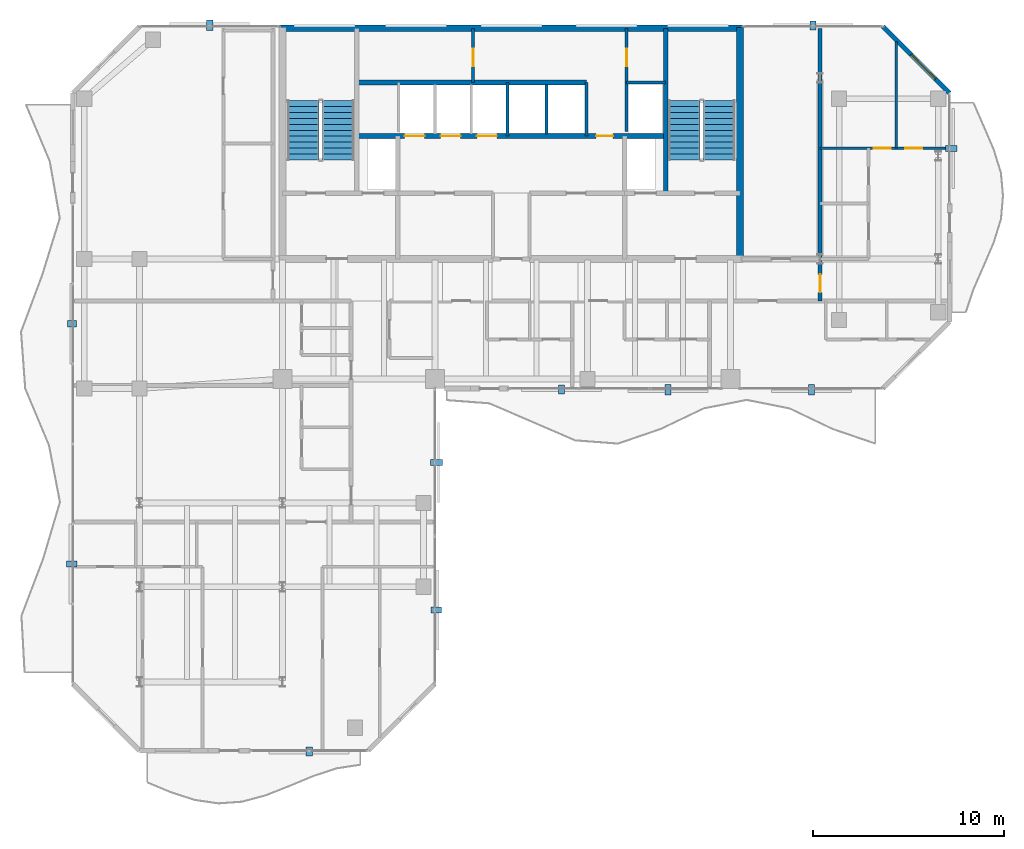
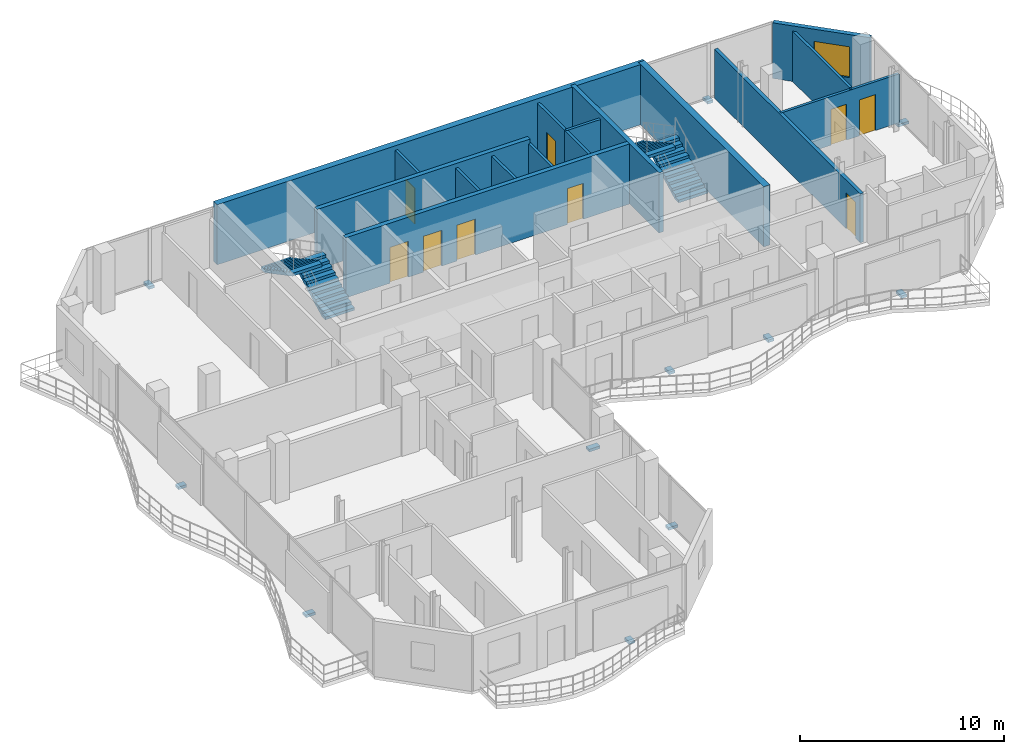
# One storey, part 20 of 23: 16 walls, 11 discrete accessories, 9 doors, 4 stair flights, 1 window, 10 openings, 2 elements without a shape of their own.
"""IFC4 building model written with IfcOpenShell, lengths in metres."""

from ifc_helpers import new_model, si_unit, direction, frame, frame_2d, origin, origin_2d, place, context, subcontext, project, spatial, polyline, rectangle, outline, extrude, material, layer, layer_set, type_object, element, fill, aggregate, save


model = new_model("IFC4")

# Units and contexts
model_context = context("Model", 3, precision=1e-05, world=origin(), true_north=direction((0.0, 1.0)))
body_context = subcontext(model_context, "Body", "Model", "MODEL_VIEW")
ifc_project = project(units=[si_unit("LENGTHUNIT", "METRE"), si_unit("AREAUNIT", "SQUARE_METRE"), si_unit("VOLUMEUNIT", "CUBIC_METRE"), si_unit("PLANEANGLEUNIT", "RADIAN"), si_unit("MASSUNIT", "GRAM", prefix="KILO")], contexts=[model_context])

# Site, building, storey
site_placement = place(None, origin())
site = spatial("IfcSite", under=ifc_project, at=site_placement, CompositionType="ELEMENT")
building_placement = place(site_placement, origin())
building = spatial("IfcBuilding", under=site, at=building_placement, Name="Catumbela Crestline Tower", CompositionType="ELEMENT")
storey_placement = place(building_placement, frame((0.0, 0.0, 179.4)))
storey = spatial("IfcBuildingStorey", under=building, at=storey_placement, Name="L46", CompositionType="ELEMENT", Elevation=179.4)

# Wall
ifc_material_1 = material(Name="Concrete C50/60", Category="concrete")
ifc_layer_1 = layer(ifc_material_1, 0.25, Name="Concrete C50/60")
ifc_layer_set_1 = layer_set([ifc_layer_1], Name="Concrete C50/60")
wall_type_1 = type_object("IfcWallType", Name="CW-250D", PredefinedType="SHEAR", material=ifc_layer_set_1)
wall_1_placement = place(storey_placement, frame((36.1, 34.25, 0.0), z_axis=(0.0, 0.0, 1.0), x_axis=(0.0, 1.0, 0.0)))
element("IfcWall", 1, at=wall_1_placement, inside=storey, type_object=wall_type_1, Name="L46 Structural Core Shear Wall EWEB", PredefinedType="SHEAR", context=body_context, shape_type="SweptSolid", body=[
    extrude(rectangle(XDim=8.65, YDim=0.25, at=frame_2d((4.325, 0.0))), origin(), (0.0, 0.0, 1.0), 3.6),
])

# Wall, openings, doors
wall_2_placement = place(storey_placement, frame((19.9, 37.25, 0.0), z_axis=(0.0, 0.0, 1.0), x_axis=(1.0, 0.0, 0.0)))
wall_2 = element("IfcWall", 2, at=wall_2_placement, inside=storey, type_object=wall_type_1, Name="L46 Structural Core Shear Wall LIFTN", PredefinedType="SHEAR", context=body_context, shape_type="SweptSolid", body=[
    extrude(rectangle(XDim=16.2, YDim=0.25, at=frame_2d((8.1, 0.0))), origin(), (0.0, 0.0, 1.0), 3.6),
])
opening_1_placement = place(wall_2_placement, frame((12.55, 0.0, 0.0)))
opening_1 = element("IfcOpeningElement", 3, at=opening_1_placement, cuts=wall_2, Name="Opening DF9-090", PredefinedType="OPENING", context=body_context, shape_type="SweptSolid", body=[
    extrude(rectangle(XDim=0.9, YDim=2.15, at=frame_2d((0.45, 1.075))), frame((0.0, 0.135, 0.0), z_axis=(0.0, -1.0, 0.0), x_axis=(1.0, 0.0, 0.0)), (0.0, 0.0, 1.0), 0.27),
])
opening_2_placement = place(wall_2_placement, frame((2.5, 0.0, 0.0)))
opening_2 = element("IfcOpeningElement", 4, at=opening_2_placement, cuts=wall_2, Name="Opening LD-105", PredefinedType="OPENING", context=body_context, shape_type="SweptSolid", body=[
    extrude(rectangle(XDim=1.05, YDim=2.15, at=frame_2d((0.525, 1.075))), frame((0.0, 0.135, 0.0), z_axis=(0.0, -1.0, 0.0), x_axis=(1.0, 0.0, 0.0)), (0.0, 0.0, 1.0), 0.27),
])
opening_3_placement = place(wall_2_placement, frame((4.4, 0.0, 0.0)))
opening_3 = element("IfcOpeningElement", 5, at=opening_3_placement, cuts=wall_2, Name="Opening LD-105", PredefinedType="OPENING", context=body_context, shape_type="SweptSolid", body=[
    extrude(rectangle(XDim=1.05, YDim=2.15, at=frame_2d((0.525, 1.075))), frame((0.0, 0.135, 0.0), z_axis=(0.0, -1.0, 0.0), x_axis=(1.0, 0.0, 0.0)), (0.0, 0.0, 1.0), 0.27),
])
opening_4_placement = place(wall_2_placement, frame((6.3, 0.0, 0.0)))
opening_4 = element("IfcOpeningElement", 6, at=opening_4_placement, cuts=wall_2, Name="Opening LD-105", PredefinedType="OPENING", context=body_context, shape_type="SweptSolid", body=[
    extrude(rectangle(XDim=1.05, YDim=2.15, at=frame_2d((0.525, 1.075))), frame((0.0, 0.135, 0.0), z_axis=(0.0, -1.0, 0.0), x_axis=(1.0, 0.0, 0.0)), (0.0, 0.0, 1.0), 0.27),
])
ifc_material_2 = material(Name="Stainless steel EN 1.4401", Category="steel")
door_type_1 = type_object("IfcDoorType", Name="DF9-090", OperationType="NOTDEFINED", PredefinedType="DOOR", material=ifc_material_2)
door_1_placement = place(opening_1_placement, origin())
door_1 = element("IfcDoor", 7, at=door_1_placement, inside=storey, type_object=door_type_1, Name="L46 Interior Door DR-L46-CPAS1", OperationType="SINGLE_SWING_LEFT", OverallHeight=2.15, OverallWidth=0.9, PredefinedType="DOOR", context=body_context, shape_type="SweptSolid", body=[
    extrude(rectangle(XDim=0.9, YDim=2.15, at=frame_2d((0.45, 1.075))), frame((0.0, 0.025, 0.0), z_axis=(0.0, -1.0, 0.0), x_axis=(1.0, 0.0, 0.0)), (0.0, 0.0, 1.0), 0.05),
])
fill(opening_1, door_1)
door_type_2 = type_object("IfcDoorType", Name="LD-105", OperationType="NOTDEFINED", PredefinedType="DOOR", material=ifc_material_2)
door_2_placement = place(opening_2_placement, origin())
door_2 = element("IfcDoor", 8, at=door_2_placement, inside=storey, type_object=door_type_2, Name="L46 Lift Landing Sliding Door PL-H1", OperationType="DOUBLE_DOOR_SLIDING", OverallHeight=2.15, OverallWidth=1.05, PredefinedType="DOOR", context=body_context, shape_type="SweptSolid", body=[
    extrude(rectangle(XDim=1.05, YDim=2.15, at=frame_2d((0.525, 1.075))), frame((0.0, 0.025, 0.0), z_axis=(0.0, -1.0, 0.0), x_axis=(1.0, 0.0, 0.0)), (0.0, 0.0, 1.0), 0.05),
])
fill(opening_2, door_2)
door_3_placement = place(opening_3_placement, origin())
door_3 = element("IfcDoor", 9, at=door_3_placement, inside=storey, type_object=door_type_2, Name="L46 Lift Landing Sliding Door PL-H2", OperationType="DOUBLE_DOOR_SLIDING", OverallHeight=2.15, OverallWidth=1.05, PredefinedType="DOOR", context=body_context, shape_type="SweptSolid", body=[
    extrude(rectangle(XDim=1.05, YDim=2.15, at=frame_2d((0.525, 1.075))), frame((0.0, 0.025, 0.0), z_axis=(0.0, -1.0, 0.0), x_axis=(1.0, 0.0, 0.0)), (0.0, 0.0, 1.0), 0.05),
])
fill(opening_3, door_3)
door_4_placement = place(opening_4_placement, origin())
door_4 = element("IfcDoor", 10, at=door_4_placement, inside=storey, type_object=door_type_2, Name="L46 Lift Landing Sliding Door PL-H3", OperationType="DOUBLE_DOOR_SLIDING", OverallHeight=2.15, OverallWidth=1.05, PredefinedType="DOOR", context=body_context, shape_type="SweptSolid", body=[
    extrude(rectangle(XDim=1.05, YDim=2.15, at=frame_2d((0.525, 1.075))), frame((0.0, 0.025, 0.0), z_axis=(0.0, -1.0, 0.0), x_axis=(1.0, 0.0, 0.0)), (0.0, 0.0, 1.0), 0.05),
])
fill(opening_4, door_4)

# Walls
wall_3_placement = place(storey_placement, frame((19.9, 40.05, 0.0), z_axis=(0.0, 0.0, 1.0), x_axis=(1.0, 0.0, 0.0)))
element("IfcWall", 11, at=wall_3_placement, inside=storey, type_object=wall_type_1, Name="L46 Structural Core Shear Wall COREN", PredefinedType="SHEAR", context=body_context, shape_type="SweptSolid", body=[
    extrude(rectangle(XDim=12.05, YDim=0.25, at=frame_2d((6.025, 0.0))), origin(), (0.0, 0.0, 1.0), 3.6),
])
ifc_layer_2 = layer(ifc_material_1, 0.35, Name="Concrete C50/60")
ifc_layer_set_2 = layer_set([ifc_layer_2], Name="Concrete C50/60")
wall_type_2 = type_object("IfcWallType", Name="CW-350B", PredefinedType="SHEAR", material=ifc_layer_set_2)
wall_4_placement = place(storey_placement, frame((40.0, 30.65, 0.0), z_axis=(0.0, 0.0, 1.0), x_axis=(0.0, 1.0, 0.0)))
element("IfcWall", 12, at=wall_4_placement, inside=storey, type_object=wall_type_2, Name="L46 Structural Core Shear Wall E", PredefinedType="SHEAR", context=body_context, shape_type="SweptSolid", body=[
    extrude(rectangle(XDim=12.3, YDim=0.35, at=frame_2d((6.15, 0.0))), origin(), (0.0, 0.0, 1.0), 3.6),
])
ifc_layer_3 = layer(ifc_material_1, 0.35, Name="Concrete C50/60")
ifc_layer_set_3 = layer_set([ifc_layer_3], Name="Concrete C50/60")
wall_type_3 = type_object("IfcWallType", Name="CW-350E", PredefinedType="SHEAR", material=ifc_layer_set_3)
wall_5_placement = place(storey_placement, frame((15.85, 42.9, 0.0), z_axis=(0.0, 0.0, 1.0), x_axis=(1.0, 0.0, 0.0)))
element("IfcWall", 13, at=wall_5_placement, inside=storey, type_object=wall_type_3, Name="L46 Structural Core Shear Wall N", PredefinedType="SHEAR", context=body_context, shape_type="SweptSolid", body=[
    extrude(rectangle(XDim=24.3, YDim=0.35, at=frame_2d((12.15, 0.0))), origin(), (0.0, 0.0, 1.0), 3.6),
])

# Wall, opening, door
ifc_material_3 = material(Name="Acoustic gypsum and mineral-wool partition")
ifc_layer_4 = layer(ifc_material_3, 0.2, Name="Acoustic gypsum and mineral-wool partition")
ifc_layer_set_4 = layer_set([ifc_layer_4], Name="Acoustic gypsum and mineral-wool partition")
wall_type_4 = type_object("IfcWallType", Name="WC-200", PredefinedType="PARTITIONING", material=ifc_layer_set_4)
wall_6_placement = place(storey_placement, frame((44.2, 28.6, 0.0), z_axis=(0.0, 0.0, 1.0), x_axis=(0.0, 1.0, 0.0)))
wall_6 = element("IfcWall", 14, at=wall_6_placement, inside=storey, type_object=wall_type_4, Name="L46 Interior Partition PW-L46-NE1-ENT", PredefinedType="PARTITIONING", context=body_context, shape_type="SweptSolid", body=[
    extrude(rectangle(XDim=14.3, YDim=0.2, at=frame_2d((7.15, 0.0))), origin(), (0.0, 0.0, 1.0), 2.92),
])
opening_5_placement = place(wall_6_placement, frame((0.445, 0.0, 0.0)))
opening_5 = element("IfcOpeningElement", 15, at=opening_5_placement, cuts=wall_6, Name="Opening DF6-095", PredefinedType="OPENING", context=body_context, shape_type="SweptSolid", body=[
    extrude(rectangle(XDim=0.95, YDim=2.15, at=frame_2d((0.475, 1.075))), frame((0.0, 0.11, 0.0), z_axis=(0.0, -1.0, 0.0), x_axis=(1.0, 0.0, 0.0)), (0.0, 0.0, 1.0), 0.22),
])
ifc_material_4 = material(Name="Aluminium alloy AW-6060-T66", Category="aluminium")
door_type_3 = type_object("IfcDoorType", Name="DF6-095", OperationType="NOTDEFINED", PredefinedType="DOOR", material=ifc_material_4)
door_5_placement = place(opening_5_placement, origin())
door_5 = element("IfcDoor", 16, at=door_5_placement, inside=storey, type_object=door_type_3, Name="L46 Interior Door DR-L46-NE1-ENT", OperationType="SINGLE_SWING_LEFT", OverallHeight=2.15, OverallWidth=0.95, PredefinedType="DOOR", context=body_context, shape_type="SweptSolid", body=[
    extrude(rectangle(XDim=0.95, YDim=2.15, at=frame_2d((0.475, 1.075))), frame((0.0, 0.025, 0.0), z_axis=(0.0, -1.0, 0.0), x_axis=(1.0, 0.0, 0.0)), (0.0, 0.0, 1.0), 0.05),
])
fill(opening_5, door_5)

# Wall, opening, window
ifc_material_5 = material(Name="Angolan grey-ochre granite", Category="masonry")
ifc_layer_5 = layer(ifc_material_5, 0.25, Name="Angolan grey-ochre granite")
ifc_layer_set_5 = layer_set([ifc_layer_5], Name="Angolan grey-ochre granite")
wall_type_5 = type_object("IfcWallType", Name="WE-250", PredefinedType="STANDARD", material=ifc_layer_set_5)
wall_7_placement = place(storey_placement, frame((51.0, 39.5, 0.0), z_axis=(0.0, 0.0, 1.0), x_axis=(-0.707106781187, 0.707106781187, 0.0)))
wall_7 = element("IfcWall", 17, at=wall_7_placement, inside=storey, type_object=wall_type_5, Name="L46 Granite Punched Window Wall 6-1", PredefinedType="STANDARD", context=body_context, shape_type="SweptSolid", body=[
    extrude(rectangle(XDim=4.9497, YDim=0.25, at=frame_2d((2.4748, 0.0))), origin(), (0.0, 0.0, 1.0), 3.33),
])
opening_6_placement = place(wall_7_placement, frame((1.0574, 0.0, 0.75)))
opening_6 = element("IfcOpeningElement", 18, at=opening_6_placement, cuts=wall_7, Name="Opening WN-01", PredefinedType="OPENING", context=body_context, shape_type="SweptSolid", body=[
    extrude(rectangle(XDim=1.8, YDim=1.85, at=frame_2d((0.9, 0.925))), frame((0.0, 0.135, 0.0), z_axis=(0.0, -1.0, 0.0), x_axis=(1.0, 0.0, 0.0)), (0.0, 0.0, 1.0), 0.27),
])
ifc_material_6 = material(Name="Low-E laminated solar-control double glazing", Category="glass")
window_type = type_object("IfcWindowType", Name="WF-1800", PartitioningType="SINGLE_PANEL", PredefinedType="WINDOW", material=ifc_material_6)
window_placement = place(opening_6_placement, origin())
window = element("IfcWindow", 19, at=window_placement, inside=storey, type_object=window_type, Name="L46 Facade Vision Window 289", OverallHeight=1.85, OverallWidth=1.8, PartitioningType="SINGLE_PANEL", PredefinedType="WINDOW", context=body_context, shape_type="SweptSolid", body=[
    extrude(rectangle(XDim=1.8, YDim=1.85, at=frame_2d((0.9, 0.925))), frame((0.0, 0.03, 0.0), z_axis=(0.0, -1.0, 0.0), x_axis=(1.0, 0.0, 0.0)), (0.0, 0.0, 1.0), 0.06),
])
fill(opening_6, window)

# Wall
ifc_layer_6 = layer(ifc_material_3, 0.15, Name="Acoustic gypsum and mineral-wool partition")
ifc_layer_set_6 = layer_set([ifc_layer_6], Name="Acoustic gypsum and mineral-wool partition")
wall_type_6 = type_object("IfcWallType", Name="WP-150", PredefinedType="PARTITIONING", material=ifc_layer_set_6)
wall_8_placement = place(storey_placement, frame((34.05, 40.05, 0.0), z_axis=(0.0, 0.0, 1.0), x_axis=(1.0, 0.0, 0.0)))
element("IfcWall", 20, at=wall_8_placement, inside=storey, type_object=wall_type_6, Name="L46 Interior Partition PW-L46-CR-ES", PredefinedType="PARTITIONING", context=body_context, shape_type="SweptSolid", body=[
    extrude(rectangle(XDim=2.05, YDim=0.15, at=frame_2d((1.025, 0.0))), origin(), (0.0, 0.0, 1.0), 3.33),
])

# Wall, opening, door
wall_9_placement = place(storey_placement, frame((34.05, 40.05, 0.0), z_axis=(0.0, 0.0, 1.0), x_axis=(0.0, 1.0, 0.0)))
wall_9 = element("IfcWall", 21, at=wall_9_placement, inside=storey, type_object=wall_type_6, Name="L46 Interior Partition PW-L46-CR-EW", PredefinedType="PARTITIONING", context=body_context, shape_type="SweptSolid", body=[
    extrude(rectangle(XDim=2.85, YDim=0.15, at=frame_2d((1.425, 0.0))), origin(), (0.0, 0.0, 1.0), 3.33),
])
opening_7_placement = place(wall_9_placement, frame((0.865, 0.0, 0.0)))
opening_7 = element("IfcOpeningElement", 22, at=opening_7_placement, cuts=wall_9, Name="Opening DF9-090", PredefinedType="OPENING", context=body_context, shape_type="SweptSolid", body=[
    extrude(rectangle(XDim=0.9, YDim=2.15, at=frame_2d((0.45, 1.075))), frame((0.0, 0.085, 0.0), z_axis=(0.0, -1.0, 0.0), x_axis=(1.0, 0.0, 0.0)), (0.0, 0.0, 1.0), 0.17),
])
door_6_placement = place(opening_7_placement, origin())
door_6 = element("IfcDoor", 23, at=door_6_placement, inside=storey, type_object=door_type_1, Name="L46 Interior Door DR-L46-CREAST", OperationType="SINGLE_SWING_RIGHT", OverallHeight=2.15, OverallWidth=0.9, PredefinedType="DOOR", context=body_context, shape_type="SweptSolid", body=[
    extrude(rectangle(XDim=0.9, YDim=2.15, at=frame_2d((0.45, 1.075))), frame((0.0, 0.025, 0.0), z_axis=(0.0, -1.0, 0.0), x_axis=(1.0, 0.0, 0.0)), (0.0, 0.0, 1.0), 0.05),
])
fill(opening_7, door_6)

wall_10_placement = place(storey_placement, frame((26.0, 40.05, 0.0), z_axis=(0.0, 0.0, 1.0), x_axis=(0.0, 1.0, 0.0)))
wall_10 = element("IfcWall", 24, at=wall_10_placement, inside=storey, type_object=wall_type_6, Name="L46 Interior Partition PW-L46-CR-WW", PredefinedType="PARTITIONING", context=body_context, shape_type="SweptSolid", body=[
    extrude(rectangle(XDim=2.85, YDim=0.15, at=frame_2d((1.425, 0.0))), origin(), (0.0, 0.0, 1.0), 3.33),
])
opening_8_placement = place(wall_10_placement, frame((0.865, 0.0, 0.0)))
opening_8 = element("IfcOpeningElement", 25, at=opening_8_placement, cuts=wall_10, Name="Opening DF9-090", PredefinedType="OPENING", context=body_context, shape_type="SweptSolid", body=[
    extrude(rectangle(XDim=0.9, YDim=2.15, at=frame_2d((0.45, 1.075))), frame((0.0, 0.085, 0.0), z_axis=(0.0, -1.0, 0.0), x_axis=(1.0, 0.0, 0.0)), (0.0, 0.0, 1.0), 0.17),
])
door_7_placement = place(opening_8_placement, origin())
door_7 = element("IfcDoor", 26, at=door_7_placement, inside=storey, type_object=door_type_1, Name="L46 Interior Door DR-L46-CRWEST", OperationType="SINGLE_SWING_LEFT", OverallHeight=2.15, OverallWidth=0.9, PredefinedType="DOOR", context=body_context, shape_type="SweptSolid", body=[
    extrude(rectangle(XDim=0.9, YDim=2.15, at=frame_2d((0.45, 1.075))), frame((0.0, 0.025, 0.0), z_axis=(0.0, -1.0, 0.0), x_axis=(1.0, 0.0, 0.0)), (0.0, 0.0, 1.0), 0.05),
])
fill(opening_8, door_7)

# Wall, openings, doors
wall_11_placement = place(storey_placement, frame((44.2, 36.608, 0.0), z_axis=(0.0, 0.0, 1.0), x_axis=(1.0, 0.0, 0.0)))
wall_11 = element("IfcWall", 27, at=wall_11_placement, inside=storey, type_object=wall_type_6, Name="L46 Interior Partition PW-L46-NE1-KBN", PredefinedType="PARTITIONING", context=body_context, shape_type="SweptSolid", body=[
    extrude(rectangle(XDim=6.7, YDim=0.15, at=frame_2d((3.35, 0.0))), origin(), (0.0, 0.0, 1.0), 2.92),
])
opening_9_placement = place(wall_11_placement, frame((2.821, 0.0, 0.0)))
opening_9 = element("IfcOpeningElement", 28, at=opening_9_placement, cuts=wall_11, Name="Opening DI-090", PredefinedType="OPENING", context=body_context, shape_type="SweptSolid", body=[
    extrude(rectangle(XDim=0.9, YDim=2.15, at=frame_2d((0.45, 1.075))), frame((0.0, 0.085, 0.0), z_axis=(0.0, -1.0, 0.0), x_axis=(1.0, 0.0, 0.0)), (0.0, 0.0, 1.0), 0.17),
])
opening_10_placement = place(wall_11_placement, frame((4.4569, 0.0, 0.0)))
opening_10 = element("IfcOpeningElement", 29, at=opening_10_placement, cuts=wall_11, Name="Opening DI-090", PredefinedType="OPENING", context=body_context, shape_type="SweptSolid", body=[
    extrude(rectangle(XDim=0.9, YDim=2.15, at=frame_2d((0.45, 1.075))), frame((0.0, 0.085, 0.0), z_axis=(0.0, -1.0, 0.0), x_axis=(1.0, 0.0, 0.0)), (0.0, 0.0, 1.0), 0.17),
])
door_type_4 = type_object("IfcDoorType", Name="DI-090", OperationType="NOTDEFINED", PredefinedType="DOOR", material=ifc_material_4)
door_8_placement = place(opening_9_placement, origin())
door_8 = element("IfcDoor", 30, at=door_8_placement, inside=storey, type_object=door_type_4, Name="L46 Interior Door DR-L46-NE1-BD1", OperationType="SINGLE_SWING_LEFT", OverallHeight=2.15, OverallWidth=0.9, PredefinedType="DOOR", context=body_context, shape_type="SweptSolid", body=[
    extrude(rectangle(XDim=0.9, YDim=2.15, at=frame_2d((0.45, 1.075))), frame((0.0, 0.025, 0.0), z_axis=(0.0, -1.0, 0.0), x_axis=(1.0, 0.0, 0.0)), (0.0, 0.0, 1.0), 0.05),
])
fill(opening_9, door_8)
door_9_placement = place(opening_10_placement, origin())
door_9 = element("IfcDoor", 31, at=door_9_placement, inside=storey, type_object=door_type_4, Name="L46 Interior Door DR-L46-NE1-BD2", OperationType="SINGLE_SWING_RIGHT", OverallHeight=2.15, OverallWidth=0.9, PredefinedType="DOOR", context=body_context, shape_type="SweptSolid", body=[
    extrude(rectangle(XDim=0.9, YDim=2.15, at=frame_2d((0.45, 1.075))), frame((0.0, 0.025, 0.0), z_axis=(0.0, -1.0, 0.0), x_axis=(1.0, 0.0, 0.0)), (0.0, 0.0, 1.0), 0.05),
])
fill(opening_10, door_9)

# Walls
wall_12_placement = place(storey_placement, frame((48.196, 36.608, 0.0), z_axis=(0.0, 0.0, 1.0), x_axis=(0.0, 1.0, 0.0)))
element("IfcWall", 32, at=wall_12_placement, inside=storey, type_object=wall_type_6, Name="L46 Interior Partition PW-L46-NE1-BDP", PredefinedType="PARTITIONING", context=body_context, shape_type="SweptSolid", body=[
    extrude(rectangle(XDim=5.596, YDim=0.15, at=frame_2d((2.798, 0.0))), origin(), (0.0, 0.0, 1.0), 3.02),
])
ifc_layer_7 = layer(ifc_material_3, 0.15, Name="Acoustic gypsum and mineral-wool partition")
ifc_layer_set_7 = layer_set([ifc_layer_7], Name="Acoustic gypsum and mineral-wool partition")
wall_type_7 = type_object("IfcWallType", Name="WS-150", PredefinedType="PLUMBINGWALL", material=ifc_layer_set_7)
for number, where, z_axis, x_axis, name in (
    (33, (27.8, 37.25, 0.0), (0.0, 0.0, 1.0), (0.0, 1.0, 0.0), "L46 Interior Partition PW-L46-SHH3"),
    (34, (31.95, 37.25, 0.0), (0.0, 0.0, 1.0), (0.0, 1.0, 0.0), "L46 Interior Partition PW-L46-SHEX2E"),
):
    element("IfcWall", number, at=place(storey_placement, frame(where, z_axis=z_axis, x_axis=x_axis)), inside=storey, type_object=wall_type_7, Name=name, PredefinedType="PLUMBINGWALL", context=body_context, shape_type="SweptSolid", body=[
        extrude(rectangle(XDim=2.8, YDim=0.15, at=frame_2d((1.4, 0.0))), origin(), (0.0, 0.0, 1.0), 3.33),
    ])
wall_13_placement = place(storey_placement, frame((29.85, 37.35, 0.0), z_axis=(0.0, 0.0, 1.0), x_axis=(0.0, 1.0, 0.0)))
element("IfcWall", 35, at=wall_13_placement, inside=storey, type_object=wall_type_7, Name="L46 Interior Partition PW-L46-SHEX1", PredefinedType="PLUMBINGWALL", context=body_context, shape_type="SweptSolid", body=[
    extrude(rectangle(XDim=2.6, YDim=0.15, at=frame_2d((1.3, 0.0))), origin(), (0.0, 0.0, 1.0), 3.33),
])
wall_14_placement = place(storey_placement, frame((34.05, 37.4734, 0.0), z_axis=(0.0, 0.0, 1.0), x_axis=(0.0, 1.0, 0.0)))
element("IfcWall", 36, at=wall_14_placement, inside=storey, type_object=wall_type_7, Name="L46 Interior Partition PW-L46-RISW", PredefinedType="PLUMBINGWALL", context=body_context, shape_type="SweptSolid", body=[
    extrude(rectangle(XDim=2.5766, YDim=0.15, at=frame_2d((1.2883, 0.0))), origin(), (0.0, 0.0, 1.0), 3.33),
])

# Stair, stair flights
ifc_material_7 = material(Name="Concrete C45/55", Category="concrete")
stair_type = type_object("IfcStairType", Name="ST-DLG", PredefinedType="HALF_TURN_STAIR", material=ifc_material_7)
stair_1_placement = place(storey_placement, origin())
stair_1 = element("IfcStair", 37, at=stair_1_placement, inside=storey, type_object=stair_type, Name="L46 West Core Pressurised Exit Stair ST-01", PredefinedType="HALF_TURN_STAIR")
stair_flight_type = type_object("IfcStairFlightType", Name="SF-1636", PredefinedType="STRAIGHT", material=ifc_material_7)
stair_flight_1_placement = place(storey_placement, frame((18.92, 36.0, 0.0), z_axis=(0.0, 0.0, 1.0), x_axis=(0.0, 1.0, 0.0)))
stair_flight_1 = element("IfcStairFlight", 38, at=stair_flight_1_placement, type_object=stair_flight_type, Name="ST-01 flight 1", NumberOfRisers=11, NumberOfTreads=10, PredefinedType="STRAIGHT", RiserHeight=0.163636364, TreadLength=0.31, context=body_context, shape_type="SweptSolid", body=[
    extrude(outline(polyline([(0.0, 0.0), (0.0, 0.1636), (0.31, 0.1636), (0.31, 0.3273), (0.62, 0.3273), (0.62, 0.4909), (0.93, 0.4909), (0.93, 0.6545), (1.24, 0.6545), (1.24, 0.8182), (1.55, 0.8182), (1.55, 0.9818), (1.86, 0.9818), (1.86, 1.1455), (2.17, 1.1455), (2.17, 1.3091), (2.48, 1.3091), (2.48, 1.4727), (2.79, 1.4727), (2.79, 1.6364), (3.1, 1.6364), (3.1, 1.8), (3.1, 1.4554), (0.3427, 0.0), (0.0, 0.0)])), frame((0.0, 0.83, 0.0), z_axis=(0.0, -1.0, 0.0), x_axis=(1.0, 0.0, 0.0)), (0.0, 0.0, 1.0), 1.66),
])
stair_flight_2_placement = place(storey_placement, frame((17.08, 39.1, 1.8), z_axis=(0.0, 0.0, 1.0), x_axis=(0.0, -1.0, 0.0)))
stair_flight_2 = element("IfcStairFlight", 39, at=stair_flight_2_placement, type_object=stair_flight_type, Name="ST-01 flight 2", NumberOfRisers=11, NumberOfTreads=10, PredefinedType="STRAIGHT", RiserHeight=0.163636364, TreadLength=0.31, context=body_context, shape_type="SweptSolid", body=[
    extrude(outline(polyline([(0.0, 0.0), (0.0, 0.1636), (0.31, 0.1636), (0.31, 0.3273), (0.62, 0.3273), (0.62, 0.4909), (0.93, 0.4909), (0.93, 0.6545), (1.24, 0.6545), (1.24, 0.8182), (1.55, 0.8182), (1.55, 0.9818), (1.86, 0.9818), (1.86, 1.1455), (2.17, 1.1455), (2.17, 1.3091), (2.48, 1.3091), (2.48, 1.4727), (2.79, 1.4727), (2.79, 1.6364), (3.1, 1.6364), (3.1, 1.8), (3.1, 1.4554), (0.3427, 0.0), (0.0, 0.0)])), frame((0.0, 0.83, 0.0), z_axis=(0.0, -1.0, 0.0), x_axis=(1.0, 0.0, 0.0)), (0.0, 0.0, 1.0), 1.66),
])
aggregate(stair_1, [stair_flight_1, stair_flight_2])

stair_2_placement = place(storey_placement, origin())
stair_2 = element("IfcStair", 40, at=stair_2_placement, inside=storey, type_object=stair_type, Name="L46 East Core Pressurised Exit Stair ST-02", PredefinedType="HALF_TURN_STAIR")
stair_flight_3_placement = place(storey_placement, frame((38.92, 36.0, 0.0), z_axis=(0.0, 0.0, 1.0), x_axis=(0.0, 1.0, 0.0)))
stair_flight_3 = element("IfcStairFlight", 41, at=stair_flight_3_placement, type_object=stair_flight_type, Name="ST-02 flight 1", NumberOfRisers=11, NumberOfTreads=10, PredefinedType="STRAIGHT", RiserHeight=0.163636364, TreadLength=0.31, context=body_context, shape_type="SweptSolid", body=[
    extrude(outline(polyline([(0.0, 0.0), (0.0, 0.1636), (0.31, 0.1636), (0.31, 0.3273), (0.62, 0.3273), (0.62, 0.4909), (0.93, 0.4909), (0.93, 0.6545), (1.24, 0.6545), (1.24, 0.8182), (1.55, 0.8182), (1.55, 0.9818), (1.86, 0.9818), (1.86, 1.1455), (2.17, 1.1455), (2.17, 1.3091), (2.48, 1.3091), (2.48, 1.4727), (2.79, 1.4727), (2.79, 1.6364), (3.1, 1.6364), (3.1, 1.8), (3.1, 1.4554), (0.3427, 0.0), (0.0, 0.0)])), frame((0.0, 0.83, 0.0), z_axis=(0.0, -1.0, 0.0), x_axis=(1.0, 0.0, 0.0)), (0.0, 0.0, 1.0), 1.66),
])
stair_flight_4_placement = place(storey_placement, frame((37.08, 39.1, 1.8), z_axis=(0.0, 0.0, 1.0), x_axis=(0.0, -1.0, 0.0)))
stair_flight_4 = element("IfcStairFlight", 42, at=stair_flight_4_placement, type_object=stair_flight_type, Name="ST-02 flight 2", NumberOfRisers=11, NumberOfTreads=10, PredefinedType="STRAIGHT", RiserHeight=0.163636364, TreadLength=0.31, context=body_context, shape_type="SweptSolid", body=[
    extrude(outline(polyline([(0.0, 0.0), (0.0, 0.1636), (0.31, 0.1636), (0.31, 0.3273), (0.62, 0.3273), (0.62, 0.4909), (0.93, 0.4909), (0.93, 0.6545), (1.24, 0.6545), (1.24, 0.8182), (1.55, 0.8182), (1.55, 0.9818), (1.86, 0.9818), (1.86, 1.1455), (2.17, 1.1455), (2.17, 1.3091), (2.48, 1.3091), (2.48, 1.4727), (2.79, 1.4727), (2.79, 1.6364), (3.1, 1.6364), (3.1, 1.8), (3.1, 1.4554), (0.3427, 0.0), (0.0, 0.0)])), frame((0.0, 0.83, 0.0), z_axis=(0.0, -1.0, 0.0), x_axis=(1.0, 0.0, 0.0)), (0.0, 0.0, 1.0), 1.66),
])
aggregate(stair_2, [stair_flight_3, stair_flight_4])

# Discrete accessories
discrete_accessory_type = type_object("IfcDiscreteAccessoryType", Name="BK-SS1", PredefinedType="BRACKET", material=ifc_material_2)
discrete_accessory_1_placement = place(storey_placement, frame((17.4, 4.955, -0.18), z_axis=(0.0, 0.0, 1.0), x_axis=(1.0, 0.0, 0.0)))
element("IfcDiscreteAccessory", 43, at=discrete_accessory_1_placement, inside=storey, type_object=discrete_accessory_type, Name="L46 Solar Screen Stainless Bracket 528", PredefinedType="BRACKET", context=body_context, shape_type="SweptSolid", body=[
    extrude(rectangle(XDim=0.32, YDim=0.46, at=origin_2d()), origin(), (0.0, 0.0, 1.0), 0.16),
])
discrete_accessory_2_placement = place(storey_placement, frame((24.065, 12.375, -0.18), z_axis=(0.0, 0.0, 1.0), x_axis=(0.0, 1.0, 0.0)))
element("IfcDiscreteAccessory", 44, at=discrete_accessory_2_placement, inside=storey, type_object=discrete_accessory_type, Name="L46 Solar Screen Stainless Bracket 529", PredefinedType="BRACKET", context=body_context, shape_type="SweptSolid", body=[
    extrude(rectangle(XDim=0.32, YDim=0.54, at=origin_2d()), origin(), (0.0, 0.0, 1.0), 0.16),
])
discrete_accessory_3_placement = place(storey_placement, frame((24.085, 20.125, -0.18), z_axis=(0.0, 0.0, 1.0), x_axis=(0.0, 1.0, 0.0)))
element("IfcDiscreteAccessory", 45, at=discrete_accessory_3_placement, inside=storey, type_object=discrete_accessory_type, Name="L46 Solar Screen Stainless Bracket 530", PredefinedType="BRACKET", context=body_context, shape_type="SweptSolid", body=[
    extrude(rectangle(XDim=0.32, YDim=0.62, at=origin_2d()), origin(), (0.0, 0.0, 1.0), 0.16),
])
discrete_accessory_4_placement = place(storey_placement, frame((30.6375, 23.955, -0.18), z_axis=(0.0, 0.0, 1.0), x_axis=(1.0, 0.0, 0.0)))
element("IfcDiscreteAccessory", 46, at=discrete_accessory_4_placement, inside=storey, type_object=discrete_accessory_type, Name="L46 Solar Screen Stainless Bracket 531", PredefinedType="BRACKET", context=body_context, shape_type="SweptSolid", body=[
    extrude(rectangle(XDim=0.32, YDim=0.46, at=origin_2d()), origin(), (0.0, 0.0, 1.0), 0.16),
])
for number, where, z_axis, x_axis, name in (
    (47, (36.2125, 23.935, -0.18), (0.0, 0.0, 1.0), (1.0, 0.0, 0.0), "L46 Solar Screen Stainless Bracket 532"),
    (48, (43.75, 23.935, -0.18), (0.0, 0.0, 1.0), (1.0, 0.0, 0.0), "L46 Solar Screen Stainless Bracket 533"),
):
    element("IfcDiscreteAccessory", number, at=place(storey_placement, frame(where, z_axis=z_axis, x_axis=x_axis)), inside=storey, type_object=discrete_accessory_type, Name=name, PredefinedType="BRACKET", context=body_context, shape_type="SweptSolid", body=[
        extrude(rectangle(XDim=0.32, YDim=0.54, at=origin_2d()), origin(), (0.0, 0.0, 1.0), 0.16),
    ])
discrete_accessory_5_placement = place(storey_placement, frame((51.085, 36.6, -0.18), z_axis=(0.0, 0.0, 1.0), x_axis=(0.0, 1.0, 0.0)))
element("IfcDiscreteAccessory", 49, at=discrete_accessory_5_placement, inside=storey, type_object=discrete_accessory_type, Name="L46 Solar Screen Stainless Bracket 534", PredefinedType="BRACKET", context=body_context, shape_type="SweptSolid", body=[
    extrude(rectangle(XDim=0.32, YDim=0.62, at=origin_2d()), origin(), (0.0, 0.0, 1.0), 0.16),
])
discrete_accessory_6_placement = place(storey_placement, frame((43.82, 43.045, -0.18), z_axis=(0.0, 0.0, 1.0), x_axis=(-1.0, 0.0, 0.0)))
element("IfcDiscreteAccessory", 50, at=discrete_accessory_6_placement, inside=storey, type_object=discrete_accessory_type, Name="L46 Solar Screen Stainless Bracket 535", PredefinedType="BRACKET", context=body_context, shape_type="SweptSolid", body=[
    extrude(rectangle(XDim=0.32, YDim=0.46, at=origin_2d()), origin(), (0.0, 0.0, 1.0), 0.16),
])
discrete_accessory_7_placement = place(storey_placement, frame((12.18, 43.065, -0.18), z_axis=(0.0, 0.0, 1.0), x_axis=(-1.0, 0.0, 0.0)))
element("IfcDiscreteAccessory", 51, at=discrete_accessory_7_placement, inside=storey, type_object=discrete_accessory_type, Name="L46 Solar Screen Stainless Bracket 536", PredefinedType="BRACKET", context=body_context, shape_type="SweptSolid", body=[
    extrude(rectangle(XDim=0.32, YDim=0.54, at=origin_2d()), origin(), (0.0, 0.0, 1.0), 0.16),
])
discrete_accessory_8_placement = place(storey_placement, frame((4.955, 27.4, -0.18), z_axis=(0.0, 0.0, 1.0), x_axis=(0.0, -1.0, 0.0)))
element("IfcDiscreteAccessory", 52, at=discrete_accessory_8_placement, inside=storey, type_object=discrete_accessory_type, Name="L46 Solar Screen Stainless Bracket 537", PredefinedType="BRACKET", context=body_context, shape_type="SweptSolid", body=[
    extrude(rectangle(XDim=0.32, YDim=0.46, at=origin_2d()), origin(), (0.0, 0.0, 1.0), 0.16),
])
discrete_accessory_9_placement = place(storey_placement, frame((4.935, 14.8, -0.18), z_axis=(0.0, 0.0, 1.0), x_axis=(0.0, -1.0, 0.0)))
element("IfcDiscreteAccessory", 53, at=discrete_accessory_9_placement, inside=storey, type_object=discrete_accessory_type, Name="L46 Solar Screen Stainless Bracket 538", PredefinedType="BRACKET", context=body_context, shape_type="SweptSolid", body=[
    extrude(rectangle(XDim=0.32, YDim=0.54, at=origin_2d()), origin(), (0.0, 0.0, 1.0), 0.16),
])

save(model, "model.ifc")
